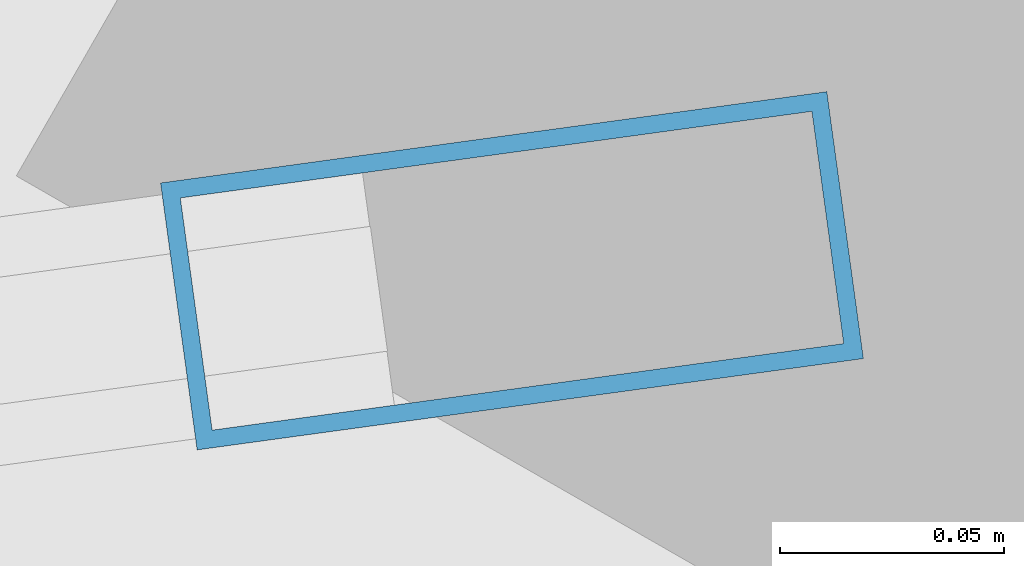
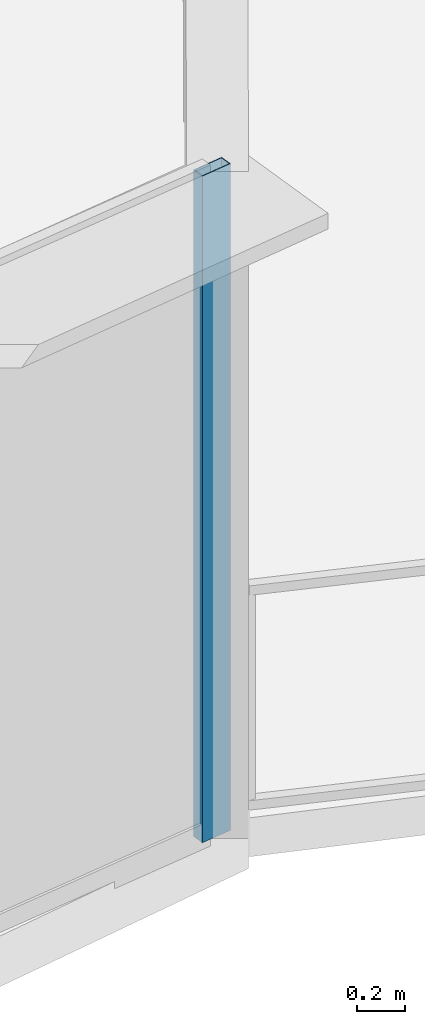
# One storey, part 24 of 39: 1 member, 1 element without a shape of its own.
"""IFC4 building model written with IfcOpenShell, lengths in metres."""

from ifc_helpers import new_model, si_unit, direction, frame, origin, origin_2d, place, context, subcontext, project, spatial, hollow_rectangle, extrude, source, transform, mapped, material, layer, layer_set, material_profile, profile_set, type_object, element, aggregate, save


model = new_model("IFC4")

# Units and contexts
model_context = context("Model", 3, precision=1e-05, world=origin(), true_north=direction((0.0, 1.0)))
body_context = subcontext(model_context, "Body", "Model", "MODEL_VIEW")
ifc_project = project(units=[si_unit("LENGTHUNIT", "METRE"), si_unit("AREAUNIT", "SQUARE_METRE"), si_unit("VOLUMEUNIT", "CUBIC_METRE"), si_unit("PLANEANGLEUNIT", "RADIAN"), si_unit("MASSUNIT", "GRAM", prefix="KILO"), si_unit("THERMODYNAMICTEMPERATUREUNIT", "KELVIN"), si_unit("POWERUNIT", "WATT")], contexts=[model_context])

# Site, building, storey
site_placement = place(None, origin())
site = spatial("IfcSite", under=ifc_project, at=site_placement, CompositionType="ELEMENT")
building_placement = place(site_placement, origin())
building = spatial("IfcBuilding", under=site, at=building_placement, Name="Yunzhuo Pagoda Commons", CompositionType="ELEMENT")
storey_placement = place(building_placement, frame((0.0, 0.0, 162.949951171875)))
storey = spatial("IfcBuildingStorey", under=building, at=storey_placement, Name="L41", CompositionType="ELEMENT", Elevation=162.949951171875)

# Curtain wall, member
ifc_material = material(Name="Anodized aluminium 6063-T6", Category="aluminium")
ifc_layer = layer(ifc_material, 0.14990234375)
ifc_layer_set = layer_set([ifc_layer], Name="Anodized aluminium 6063-T6")
curtain_wall_type = type_object("IfcCurtainWallType", Name="CW-MID Mid-Zone Ribbon Curtain Wall", PredefinedType="NOTDEFINED", material=ifc_layer_set)
curtain_wall_placement = place(storey_placement, origin())
curtain_wall = element("IfcCurtainWall", 1, at=curtain_wall_placement, inside=storey, type_object=curtain_wall_type, Name="L41 curtain wall CW-L41-F1B5", PredefinedType="NOTDEFINED")
ifc_material_profile = material_profile(ifc_material, hollow_rectangle(XDim=0.06005859375, YDim=0.14990234375, WallThickness=0.00390625, at=origin_2d()), Name="Anodized aluminium 6063-T6")
ifc_profile_set = profile_set([ifc_material_profile], Name="Anodized aluminium 6063-T6")
member_type = type_object("IfcMemberType", Name="CW-MID-M Mullion RHS 150x60x4", PredefinedType="MULLION", material=ifc_profile_set)
shared_shape = source(origin(), body_context, "Body", "SweptSolid", [
    extrude(hollow_rectangle(XDim=0.06005859375, YDim=0.14990234375, WallThickness=0.00390625, at=origin_2d()), origin(), (0.0, 0.0, 1.0), 3.420166015625),
])
member_placement = place(storey_placement, frame((82.8115234375, 16.8642578125, 0.0), z_axis=(0.0, 0.0, 1.0), x_axis=(-0.135767265879, 0.990740757976, 0.0)))
member = element("IfcMember", 2, at=member_placement, type_object=member_type, Name="CW mullion 2", PredefinedType="MULLION", context=body_context, shape_type="MappedRepresentation", body=[
    mapped(shared_shape, transform((0.0, 0.0, 0.0), scale=1.0)),
])
aggregate(curtain_wall, [member])

save(model, "model.ifc")
